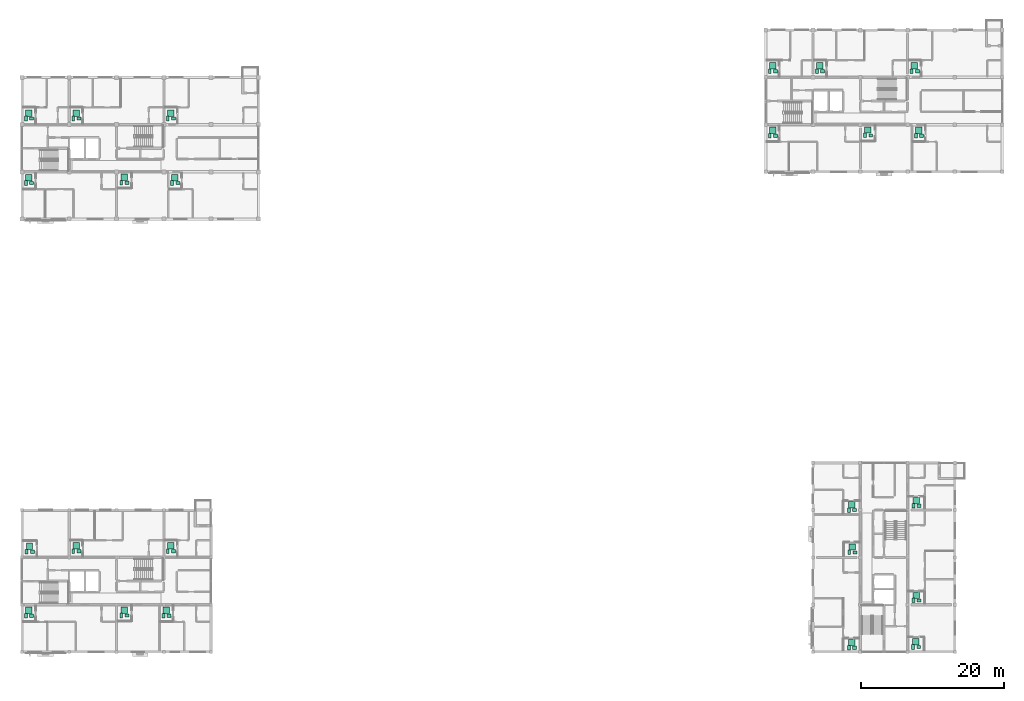
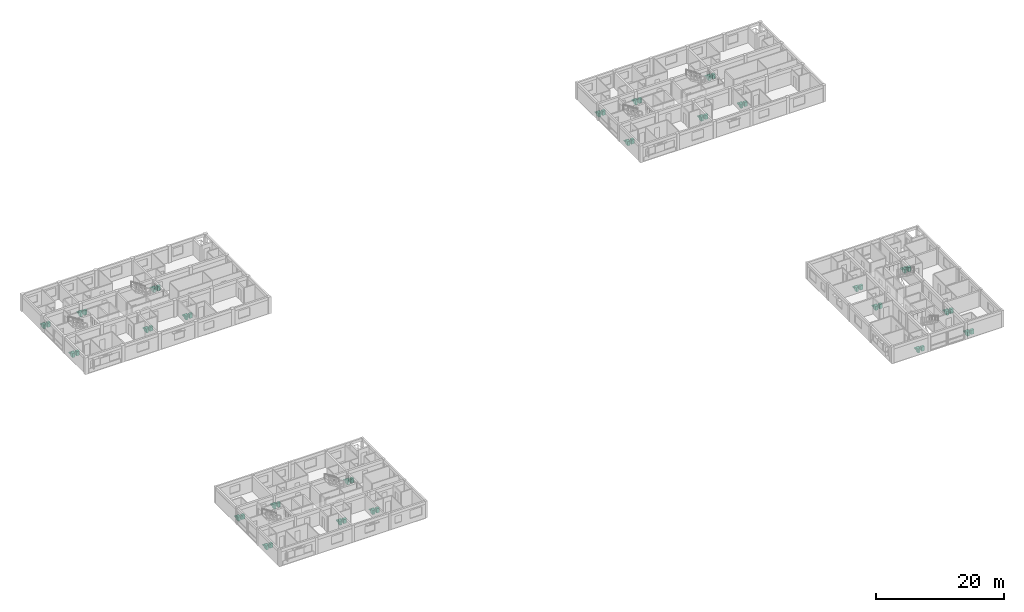
# One storey, part 53 of 53: 72 sanitary terminals.
"""IFC4 building model written with IfcOpenShell, lengths in metres."""

from ifc_helpers import new_model, si_unit, direction, frame, origin, origin_2d, place, context, subcontext, project, spatial, rectangle, extrude, material, type_object, element, save


model = new_model("IFC4")

# Units and contexts
model_context = context("Model", 3, precision=1e-05, world=origin(), true_north=direction((0.0, 1.0)))
body_context = subcontext(model_context, "Body", "Model", "MODEL_VIEW")
ifc_project = project(units=[si_unit("LENGTHUNIT", "METRE"), si_unit("AREAUNIT", "SQUARE_METRE"), si_unit("VOLUMEUNIT", "CUBIC_METRE"), si_unit("PLANEANGLEUNIT", "RADIAN"), si_unit("MASSUNIT", "GRAM", prefix="KILO")], contexts=[model_context])

# Site, building, storey
site_placement = place(None, origin())
site = spatial("IfcSite", under=ifc_project, at=site_placement, CompositionType="ELEMENT")
building_placement = place(site_placement, origin())
building = spatial("IfcBuilding", under=site, at=building_placement, Name="Kernevlak Ridge Housing Community", CompositionType="ELEMENT")
storey_placement = place(building_placement, frame((0.0, 0.0, 18.0)))
storey = spatial("IfcBuildingStorey", under=building, at=storey_placement, Name="L05", CompositionType="ELEMENT", Elevation=18.0)

# Sanitary terminals
ifc_material_1 = material(Name="Vitreous china ceramic")
sanitary_terminal_type_1 = type_object("IfcSanitaryTerminalType", Name="SN-BS", PredefinedType="WASHHANDBASIN", material=ifc_material_1)
for number, where, z_axis, x_axis, name in (
    (1, (16.949951171875, 81.050048828125, 0.0), (0.0, 0.0, 1.0), (1.0, 0.0, 0.0), "Washhand basin 25"),
    (2, (30.25, 81.10009765625, 0.0), (0.0, 0.0, 1.0), (1.0, 0.0, 0.0), "Washhand basin 26"),
    (3, (37.35009765625, 81.050048828125, 0.0), (0.0, 0.0, 1.0), (1.0, 0.0, 0.0), "Washhand basin 27"),
    (4, (16.949951171875, 90.050048828125, 0.0), (0.0, 0.0, 1.0), (1.0, 0.0, 0.0), "Washhand basin 28"),
    (5, (23.550048828125, 90.050048828125, 0.0), (0.0, 0.0, 1.0), (1.0, 0.0, 0.0), "Washhand basin 29"),
    (6, (36.75, 90.050048828125, 0.0), (0.0, 0.0, 1.0), (1.0, 0.0, 0.0), "Washhand basin 30"),
    (7, (120.75, 87.64990234375, 0.0), (0.0, 0.0, 1.0), (1.0, 0.0, 0.0), "Washhand basin 122"),
    (8, (134.050048828125, 87.699951171875, 0.0), (0.0, 0.0, 1.0), (1.0, 0.0, 0.0), "Washhand basin 123"),
    (9, (141.14990234375, 87.64990234375, 0.0), (0.0, 0.0, 1.0), (1.0, 0.0, 0.0), "Washhand basin 124"),
    (10, (120.75, 96.64990234375, 0.0), (0.0, 0.0, 1.0), (1.0, 0.0, 0.0), "Washhand basin 125"),
    (11, (127.35009765625, 96.64990234375, 0.0), (0.0, 0.0, 1.0), (1.0, 0.0, 0.0), "Washhand basin 126"),
    (12, (140.550048828125, 96.64990234375, 0.0), (0.0, 0.0, 1.0), (1.0, 0.0, 0.0), "Washhand basin 127"),
    (13, (131.800048828125, 16.199951171875, 0.0), (0.0, 0.0, 1.0), (1.0, 0.0, 0.0), "Washhand basin 204"),
    (14, (131.85009765625, 29.5, 0.0), (0.0, 0.0, 1.0), (1.0, 0.0, 0.0), "Washhand basin 205"),
    (15, (131.800048828125, 35.39990234375, 0.0), (0.0, 0.0, 1.0), (1.0, 0.0, 0.0), "Washhand basin 206"),
    (16, (140.75, 16.300048828125, 0.0), (0.0, 0.0, 1.0), (1.0, 0.0, 0.0), "Washhand basin 207"),
    (17, (140.800048828125, 22.800048828125, 0.0), (0.0, 0.0, 1.0), (1.0, 0.0, 0.0), "Washhand basin 208"),
    (18, (140.800048828125, 36.0, 0.0), (0.0, 0.0, 1.0), (1.0, 0.0, 0.0), "Washhand basin 209"),
    (19, (16.949951171875, 20.64990234375, 0.0), (0.0, 0.0, 1.0), (1.0, 0.0, 0.0), "Washhand basin 269"),
    (20, (30.25, 20.699951171875, 0.0), (0.0, 0.0, 1.0), (1.0, 0.0, 0.0), "Washhand basin 270"),
    (21, (36.14990234375, 20.64990234375, 0.0), (0.0, 0.0, 1.0), (1.0, 0.0, 0.0), "Washhand basin 271"),
    (22, (17.050048828125, 29.60009765625, 0.0), (0.0, 0.0, 1.0), (1.0, 0.0, 0.0), "Washhand basin 272"),
    (23, (23.550048828125, 29.64990234375, 0.0), (0.0, 0.0, 1.0), (1.0, 0.0, 0.0), "Washhand basin 273"),
    (24, (36.75, 29.64990234375, 0.0), (0.0, 0.0, 1.0), (1.0, 0.0, 0.0), "Washhand basin 274"),
):
    element("IfcSanitaryTerminal", number, at=place(storey_placement, frame(where, z_axis=z_axis, x_axis=x_axis)), inside=storey, type_object=sanitary_terminal_type_1, Name=name, PredefinedType="WASHHANDBASIN", context=body_context, shape_type="SweptSolid", body=[
        extrude(rectangle(XDim=0.550048828125, YDim=0.449951171875, at=origin_2d()), origin(), (0.0, 0.0, 1.0), 0.820068359375),
    ])
ifc_material_2 = material(Name="Glazed porcelain ceramic")
sanitary_terminal_type_2 = type_object("IfcSanitaryTerminalType", Name="SN-SH", PredefinedType="SHOWER", material=ifc_material_2)
for number, where, z_axis, x_axis, name in (
    (25, (16.550048828125, 81.800048828125, 0.0), (0.0, 0.0, 1.0), (1.0, 0.0, 0.0), "Shower tray 25"),
    (26, (29.85009765625, 81.85009765625, 0.0), (0.0, 0.0, 1.0), (1.0, 0.0, 0.0), "Shower tray 26"),
    (27, (36.949951171875, 81.800048828125, 0.0), (0.0, 0.0, 1.0), (1.0, 0.0, 0.0), "Shower tray 27"),
    (28, (16.550048828125, 90.800048828125, 0.0), (0.0, 0.0, 1.0), (1.0, 0.0, 0.0), "Shower tray 28"),
    (29, (23.14990234375, 90.800048828125, 0.0), (0.0, 0.0, 1.0), (1.0, 0.0, 0.0), "Shower tray 29"),
    (30, (36.35009765625, 90.800048828125, 0.0), (0.0, 0.0, 1.0), (1.0, 0.0, 0.0), "Shower tray 30"),
    (31, (120.35009765625, 88.39990234375, 0.0), (0.0, 0.0, 1.0), (1.0, 0.0, 0.0), "Shower tray 122"),
    (32, (133.64990234375, 88.449951171875, 0.0), (0.0, 0.0, 1.0), (1.0, 0.0, 0.0), "Shower tray 123"),
    (33, (140.75, 88.39990234375, 0.0), (0.0, 0.0, 1.0), (1.0, 0.0, 0.0), "Shower tray 124"),
    (34, (120.35009765625, 97.39990234375, 0.0), (0.0, 0.0, 1.0), (1.0, 0.0, 0.0), "Shower tray 125"),
    (35, (126.949951171875, 97.39990234375, 0.0), (0.0, 0.0, 1.0), (1.0, 0.0, 0.0), "Shower tray 126"),
    (36, (140.14990234375, 97.39990234375, 0.0), (0.0, 0.0, 1.0), (1.0, 0.0, 0.0), "Shower tray 127"),
    (37, (131.39990234375, 16.949951171875, 0.0), (0.0, 0.0, 1.0), (1.0, 0.0, 0.0), "Shower tray 204"),
    (38, (131.449951171875, 30.25, 0.0), (0.0, 0.0, 1.0), (1.0, 0.0, 0.0), "Shower tray 205"),
    (39, (131.39990234375, 36.14990234375, 0.0), (0.0, 0.0, 1.0), (1.0, 0.0, 0.0), "Shower tray 206"),
    (40, (140.35009765625, 17.050048828125, 0.0), (0.0, 0.0, 1.0), (1.0, 0.0, 0.0), "Shower tray 207"),
    (41, (140.39990234375, 23.550048828125, 0.0), (0.0, 0.0, 1.0), (1.0, 0.0, 0.0), "Shower tray 208"),
    (42, (140.39990234375, 36.75, 0.0), (0.0, 0.0, 1.0), (1.0, 0.0, 0.0), "Shower tray 209"),
    (43, (16.550048828125, 21.39990234375, 0.0), (0.0, 0.0, 1.0), (1.0, 0.0, 0.0), "Shower tray 269"),
    (44, (29.85009765625, 21.449951171875, 0.0), (0.0, 0.0, 1.0), (1.0, 0.0, 0.0), "Shower tray 270"),
    (45, (35.75, 21.39990234375, 0.0), (0.0, 0.0, 1.0), (1.0, 0.0, 0.0), "Shower tray 271"),
    (46, (16.64990234375, 30.35009765625, 0.0), (0.0, 0.0, 1.0), (1.0, 0.0, 0.0), "Shower tray 272"),
    (47, (23.14990234375, 30.39990234375, 0.0), (0.0, 0.0, 1.0), (1.0, 0.0, 0.0), "Shower tray 273"),
    (48, (36.35009765625, 30.39990234375, 0.0), (0.0, 0.0, 1.0), (1.0, 0.0, 0.0), "Shower tray 274"),
):
    element("IfcSanitaryTerminal", number, at=place(storey_placement, frame(where, z_axis=z_axis, x_axis=x_axis)), inside=storey, type_object=sanitary_terminal_type_2, Name=name, PredefinedType="SHOWER", context=body_context, shape_type="SweptSolid", body=[
        extrude(rectangle(XDim=0.89990234375, YDim=0.89990234375, at=origin_2d()), origin(), (0.0, 0.0, 1.0), 0.1201171875),
    ])
sanitary_terminal_type_3 = type_object("IfcSanitaryTerminalType", Name="SN-WC", PredefinedType="TOILETPAN", material=ifc_material_1)
for number, where, z_axis, x_axis, name in (
    (49, (16.14990234375, 81.050048828125, 0.0), (0.0, 0.0, 1.0), (1.0, 0.0, 0.0), "WC pan 25"),
    (50, (29.449951171875, 81.10009765625, 0.0), (0.0, 0.0, 1.0), (1.0, 0.0, 0.0), "WC pan 26"),
    (51, (36.550048828125, 81.050048828125, 0.0), (0.0, 0.0, 1.0), (1.0, 0.0, 0.0), "WC pan 27"),
    (52, (16.14990234375, 90.050048828125, 0.0), (0.0, 0.0, 1.0), (1.0, 0.0, 0.0), "WC pan 28"),
    (53, (22.75, 90.050048828125, 0.0), (0.0, 0.0, 1.0), (1.0, 0.0, 0.0), "WC pan 29"),
    (54, (35.949951171875, 90.050048828125, 0.0), (0.0, 0.0, 1.0), (1.0, 0.0, 0.0), "WC pan 30"),
    (55, (119.949951171875, 87.64990234375, 0.0), (0.0, 0.0, 1.0), (1.0, 0.0, 0.0), "WC pan 122"),
    (56, (133.25, 87.699951171875, 0.0), (0.0, 0.0, 1.0), (1.0, 0.0, 0.0), "WC pan 123"),
    (57, (140.35009765625, 87.64990234375, 0.0), (0.0, 0.0, 1.0), (1.0, 0.0, 0.0), "WC pan 124"),
    (58, (119.949951171875, 96.64990234375, 0.0), (0.0, 0.0, 1.0), (1.0, 0.0, 0.0), "WC pan 125"),
    (59, (126.550048828125, 96.64990234375, 0.0), (0.0, 0.0, 1.0), (1.0, 0.0, 0.0), "WC pan 126"),
    (60, (139.75, 96.64990234375, 0.0), (0.0, 0.0, 1.0), (1.0, 0.0, 0.0), "WC pan 127"),
    (61, (131.0, 16.199951171875, 0.0), (0.0, 0.0, 1.0), (1.0, 0.0, 0.0), "WC pan 204"),
    (62, (131.050048828125, 29.5, 0.0), (0.0, 0.0, 1.0), (1.0, 0.0, 0.0), "WC pan 205"),
    (63, (131.0, 35.39990234375, 0.0), (0.0, 0.0, 1.0), (1.0, 0.0, 0.0), "WC pan 206"),
    (64, (139.949951171875, 16.300048828125, 0.0), (0.0, 0.0, 1.0), (1.0, 0.0, 0.0), "WC pan 207"),
    (65, (140.0, 22.800048828125, 0.0), (0.0, 0.0, 1.0), (1.0, 0.0, 0.0), "WC pan 208"),
    (66, (140.0, 36.0, 0.0), (0.0, 0.0, 1.0), (1.0, 0.0, 0.0), "WC pan 209"),
    (67, (16.14990234375, 20.64990234375, 0.0), (0.0, 0.0, 1.0), (1.0, 0.0, 0.0), "WC pan 269"),
    (68, (29.449951171875, 20.699951171875, 0.0), (0.0, 0.0, 1.0), (1.0, 0.0, 0.0), "WC pan 270"),
    (69, (35.35009765625, 20.64990234375, 0.0), (0.0, 0.0, 1.0), (1.0, 0.0, 0.0), "WC pan 271"),
    (70, (16.25, 29.60009765625, 0.0), (0.0, 0.0, 1.0), (1.0, 0.0, 0.0), "WC pan 272"),
    (71, (22.75, 29.64990234375, 0.0), (0.0, 0.0, 1.0), (1.0, 0.0, 0.0), "WC pan 273"),
    (72, (35.949951171875, 29.64990234375, 0.0), (0.0, 0.0, 1.0), (1.0, 0.0, 0.0), "WC pan 274"),
):
    element("IfcSanitaryTerminal", number, at=place(storey_placement, frame(where, z_axis=z_axis, x_axis=x_axis)), inside=storey, type_object=sanitary_terminal_type_3, Name=name, PredefinedType="TOILETPAN", context=body_context, shape_type="SweptSolid", body=[
        extrude(rectangle(XDim=0.39990234375, YDim=0.64990234375, at=origin_2d()), origin(), (0.0, 0.0, 1.0), 0.780029296875),
    ])

save(model, "model.ifc")
